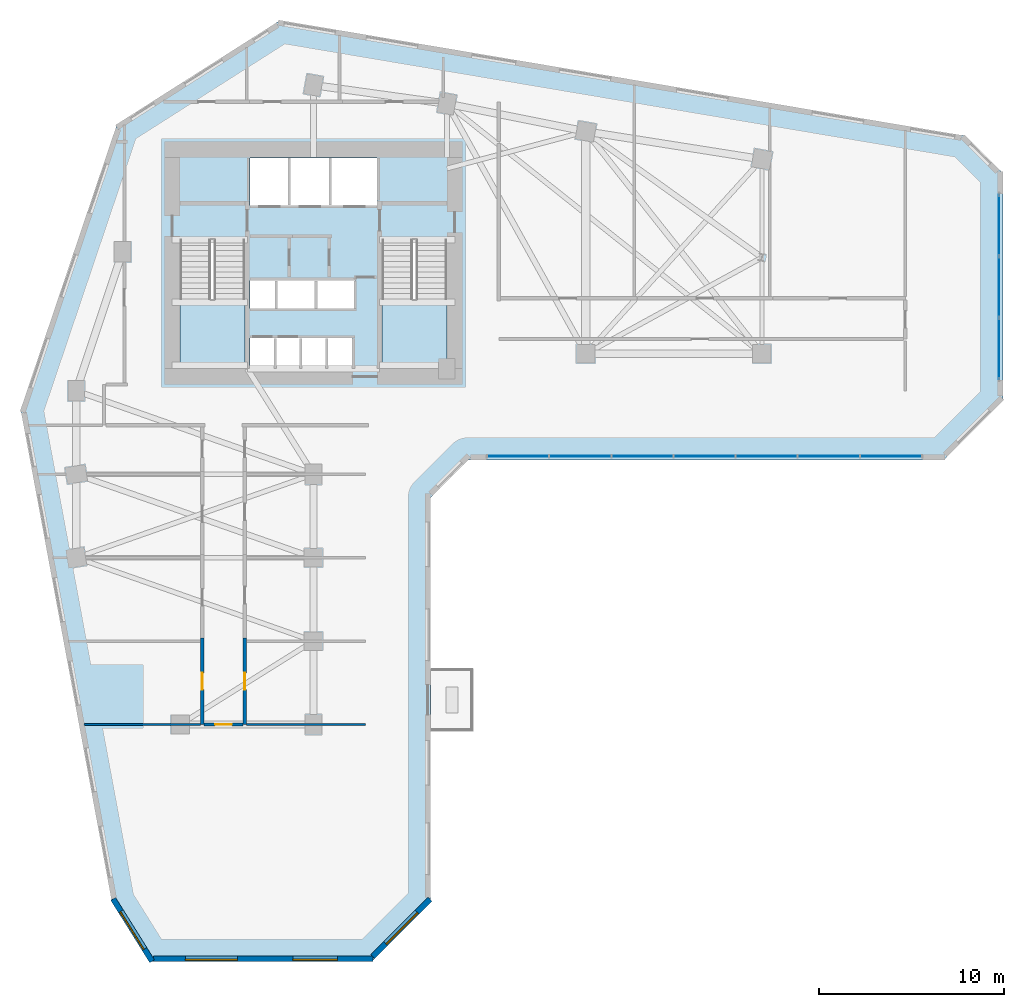
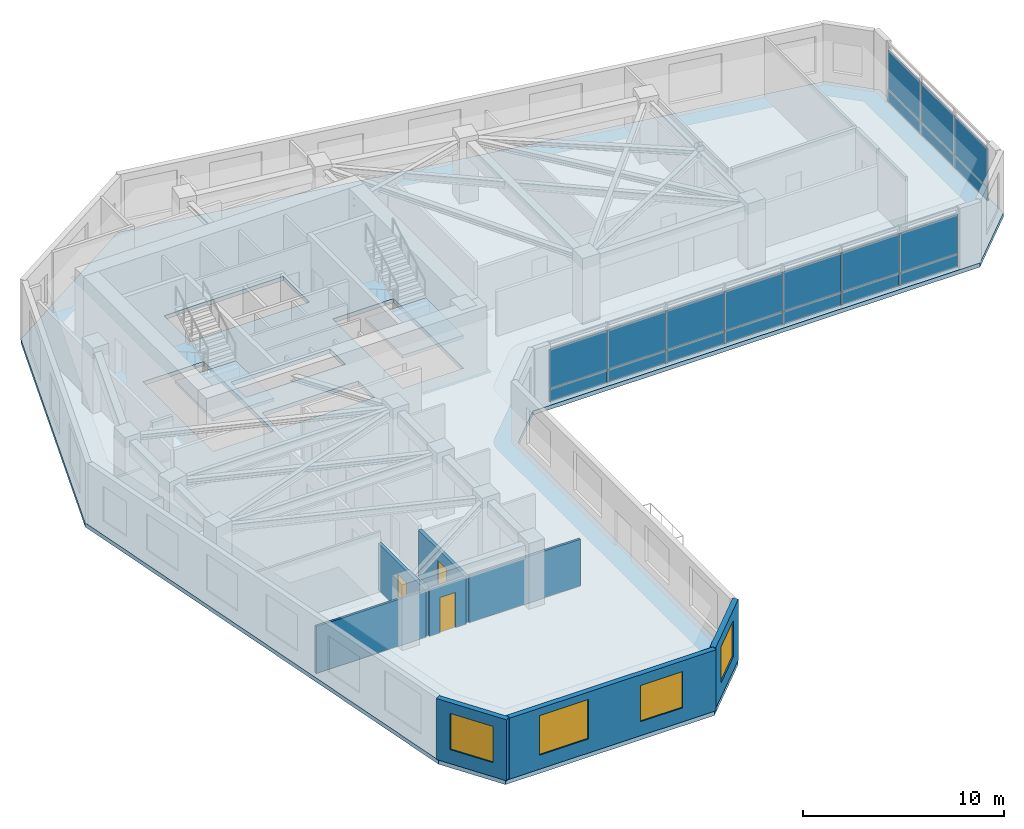
# One storey, part 5 of 11: 20 plates, 8 walls, 4 windows, 3 doors, 3 slabs, 7 openings, 4 elements without a shape of their own.
"""IFC4 building model written with IfcOpenShell, lengths in metres."""

from ifc_helpers import new_model, si_unit, direction, frame, frame_2d, origin, place, context, subcontext, project, spatial, polyline, rectangle, outline, extrude, source, transform, mapped, material, layer, layer_set, type_object, element, fill, aggregate, save


model = new_model("IFC4")

# Units and contexts
model_context = context("Model", 3, precision=1e-05, world=origin(), true_north=direction((0.0, 1.0)))
body_context = subcontext(model_context, "Body", "Model", "MODEL_VIEW")
ifc_project = project(units=[si_unit("LENGTHUNIT", "METRE"), si_unit("AREAUNIT", "SQUARE_METRE"), si_unit("VOLUMEUNIT", "CUBIC_METRE"), si_unit("PLANEANGLEUNIT", "RADIAN"), si_unit("MASSUNIT", "GRAM", prefix="KILO")], contexts=[model_context])

# Site, building, storey
site_placement = place(None, origin())
site = spatial("IfcSite", under=ifc_project, at=site_placement, CompositionType="ELEMENT")
building_placement = place(site_placement, origin())
building = spatial("IfcBuilding", under=site, at=building_placement, Name="Calvemar Wedge Station Tower", CompositionType="ELEMENT")
storey_placement = place(building_placement, frame((0.0, 0.0, 59.0)))
storey = spatial("IfcBuildingStorey", under=building, at=storey_placement, Name="L14", CompositionType="ELEMENT", Elevation=59.0)

# Curtain wall, plates
ifc_material_1 = material(Name="Anodised aluminium 6063-T6", Category="aluminium")
curtain_wall_type = type_object("IfcCurtainWallType", Name="CW1", PredefinedType="NOTDEFINED", material=ifc_material_1)
curtain_wall_1_placement = place(storey_placement, origin())
curtain_wall_1 = element("IfcCurtainWall", 1, at=curtain_wall_1_placement, inside=storey, type_object=curtain_wall_type, Name="Storey L14 CW1 Recessed Unitised Curtain Wall 6", PredefinedType="NOTDEFINED")
ifc_material_2 = material(Name="Low-E laminated insulated glass", Category="glass")
ifc_layer_1 = layer(ifc_material_2, 0.028076171875)
ifc_layer_set_1 = layer_set([ifc_layer_1], Name="Low-E laminated insulated glass")
plate_type_1 = type_object("IfcPlateType", Name="CW1-GLZ", PredefinedType="CURTAIN_PANEL", material=ifc_layer_set_1)
plate_1_placement = place(storey_placement, frame((33.183837890625, 29.469970703125, 0.8701171875), z_axis=(0.0, 0.0, 1.0), x_axis=(1.0, 0.0, 0.0)))
plate_1 = element("IfcPlate", 2, at=plate_1_placement, type_object=plate_type_1, Name="CW1 vision glass panel 1", PredefinedType="CURTAIN_PANEL", context=body_context, shape_type="SweptSolid", body=[
    extrude(rectangle(XDim=3.317138671875, YDim=0.028076171875, at=frame_2d((1.65869140625, 0.0))), origin(), (0.0, 0.0, 1.0), 2.35986328125),
])
plate_2_placement = place(storey_placement, frame((36.537109375, 29.469970703125, 0.8701171875), z_axis=(0.0, 0.0, 1.0), x_axis=(1.0, 0.0, 0.0)))
plate_2 = element("IfcPlate", 3, at=plate_2_placement, type_object=plate_type_1, Name="CW1 vision glass panel 2", PredefinedType="CURTAIN_PANEL", context=body_context, shape_type="SweptSolid", body=[
    extrude(rectangle(XDim=3.317138671875, YDim=0.028076171875, at=frame_2d((1.65869140625, 0.0))), origin(), (0.0, 0.0, 1.0), 2.35986328125),
])
plate_3_placement = place(storey_placement, frame((39.89013671875, 29.469970703125, 0.8701171875), z_axis=(0.0, 0.0, 1.0), x_axis=(1.0, 0.0, 0.0)))
plate_3 = element("IfcPlate", 4, at=plate_3_placement, type_object=plate_type_1, Name="CW1 vision glass panel 3", PredefinedType="CURTAIN_PANEL", context=body_context, shape_type="SweptSolid", body=[
    extrude(rectangle(XDim=3.317138671875, YDim=0.028076171875, at=frame_2d((1.65869140625, 0.0))), origin(), (0.0, 0.0, 1.0), 2.35986328125),
])
plate_4_placement = place(storey_placement, frame((43.243408203125, 29.469970703125, 0.8701171875), z_axis=(0.0, 0.0, 1.0), x_axis=(1.0, 0.0, 0.0)))
plate_4 = element("IfcPlate", 5, at=plate_4_placement, type_object=plate_type_1, Name="CW1 vision glass panel 4", PredefinedType="CURTAIN_PANEL", context=body_context, shape_type="SweptSolid", body=[
    extrude(rectangle(XDim=3.317138671875, YDim=0.028076171875, at=frame_2d((1.65869140625, 0.0))), origin(), (0.0, 0.0, 1.0), 2.35986328125),
])
plate_5_placement = place(storey_placement, frame((46.596435546875, 29.469970703125, 0.8701171875), z_axis=(0.0, 0.0, 1.0), x_axis=(1.0, 0.0, 0.0)))
plate_5 = element("IfcPlate", 6, at=plate_5_placement, type_object=plate_type_1, Name="CW1 vision glass panel 5", PredefinedType="CURTAIN_PANEL", context=body_context, shape_type="SweptSolid", body=[
    extrude(rectangle(XDim=3.317138671875, YDim=0.028076171875, at=frame_2d((1.65869140625, 0.0))), origin(), (0.0, 0.0, 1.0), 2.35986328125),
])
plate_6_placement = place(storey_placement, frame((49.94970703125, 29.469970703125, 0.8701171875), z_axis=(0.0, 0.0, 1.0), x_axis=(1.0, 0.0, 0.0)))
plate_6 = element("IfcPlate", 7, at=plate_6_placement, type_object=plate_type_1, Name="CW1 vision glass panel 6", PredefinedType="CURTAIN_PANEL", context=body_context, shape_type="SweptSolid", body=[
    extrude(rectangle(XDim=3.317138671875, YDim=0.028076171875, at=frame_2d((1.65869140625, 0.0))), origin(), (0.0, 0.0, 1.0), 2.35986328125),
])
plate_7_placement = place(storey_placement, frame((53.302734375, 29.469970703125, 0.8701171875), z_axis=(0.0, 0.0, 1.0), x_axis=(1.0, 0.0, 0.0)))
plate_7 = element("IfcPlate", 8, at=plate_7_placement, type_object=plate_type_1, Name="CW1 vision glass panel 7", PredefinedType="CURTAIN_PANEL", context=body_context, shape_type="SweptSolid", body=[
    extrude(rectangle(XDim=3.317138671875, YDim=0.028076171875, at=frame_2d((1.65869140625, 0.0))), origin(), (0.0, 0.0, 1.0), 2.35986328125),
])

curtain_wall_2_placement = place(storey_placement, origin())
curtain_wall_2 = element("IfcCurtainWall", 9, at=curtain_wall_2_placement, inside=storey, type_object=curtain_wall_type, Name="Storey L14 CW1 Recessed Unitised Curtain Wall 8", PredefinedType="NOTDEFINED")
plate_8_placement = place(storey_placement, frame((60.7900390625, 33.64013671875, 0.8701171875), z_axis=(0.0, 0.0, 1.0), x_axis=(0.0, 1.0, 0.0)))
plate_8 = element("IfcPlate", 10, at=plate_8_placement, type_object=plate_type_1, Name="CW1 vision glass panel 1", PredefinedType="CURTAIN_PANEL", context=body_context, shape_type="SweptSolid", body=[
    extrude(rectangle(XDim=3.289306640625, YDim=0.028076171875, at=frame_2d((1.64453125, 0.0))), origin(), (0.0, 0.0, 1.0), 2.35986328125),
])
plate_9_placement = place(storey_placement, frame((60.7900390625, 36.96533203125, 0.8701171875), z_axis=(0.0, 0.0, 1.0), x_axis=(0.0, 1.0, 0.0)))
plate_9 = element("IfcPlate", 11, at=plate_9_placement, type_object=plate_type_1, Name="CW1 vision glass panel 2", PredefinedType="CURTAIN_PANEL", context=body_context, shape_type="SweptSolid", body=[
    extrude(rectangle(XDim=3.289306640625, YDim=0.028076171875, at=frame_2d((1.64453125, 0.0))), origin(), (0.0, 0.0, 1.0), 2.35986328125),
])
plate_10_placement = place(storey_placement, frame((60.7900390625, 40.29052734375, 0.8701171875), z_axis=(0.0, 0.0, 1.0), x_axis=(0.0, 1.0, 0.0)))
plate_10 = element("IfcPlate", 12, at=plate_10_placement, type_object=plate_type_1, Name="CW1 vision glass panel 3", PredefinedType="CURTAIN_PANEL", context=body_context, shape_type="SweptSolid", body=[
    extrude(rectangle(XDim=3.289306640625, YDim=0.028076171875, at=frame_2d((1.64453125, 0.0))), origin(), (0.0, 0.0, 1.0), 2.35986328125),
])

# Plate
ifc_material_3 = material(Name="Oxidized bronze aluminium spandrel panel 5005-H24", Category="aluminium")
ifc_layer_2 = layer(ifc_material_3, 0.0400390625)
ifc_layer_set_2 = layer_set([ifc_layer_2], Name="Oxidized bronze aluminium spandrel panel 5005-H24")
plate_type_2 = type_object("IfcPlateType", Name="CW1-SPD", PredefinedType="SHEET", material=ifc_layer_set_2)
plate_11_placement = place(storey_placement, frame((33.183837890625, 29.469970703125, 0.080078125), z_axis=(0.0, 0.0, 1.0), x_axis=(1.0, 0.0, 0.0)))
plate_11 = element("IfcPlate", 13, at=plate_11_placement, type_object=plate_type_2, Name="CW1 bronze spandrel panel 1", PredefinedType="SHEET", context=body_context, shape_type="SweptSolid", body=[
    extrude(rectangle(XDim=3.317138671875, YDim=0.0400390625, at=frame_2d((1.65869140625, 0.0))), origin(), (0.0, 0.0, 1.0), 0.75),
])

plate_12_placement = place(storey_placement, frame((36.537109375, 29.469970703125, 0.080078125), z_axis=(0.0, 0.0, 1.0), x_axis=(1.0, 0.0, 0.0)))
plate_12 = element("IfcPlate", 14, at=plate_12_placement, type_object=plate_type_2, Name="CW1 bronze spandrel panel 2", PredefinedType="SHEET", context=body_context, shape_type="SweptSolid", body=[
    extrude(rectangle(XDim=3.317138671875, YDim=0.0400390625, at=frame_2d((1.65869140625, 0.0))), origin(), (0.0, 0.0, 1.0), 0.75),
])

plate_13_placement = place(storey_placement, frame((39.89013671875, 29.469970703125, 0.080078125), z_axis=(0.0, 0.0, 1.0), x_axis=(1.0, 0.0, 0.0)))
plate_13 = element("IfcPlate", 15, at=plate_13_placement, type_object=plate_type_2, Name="CW1 bronze spandrel panel 3", PredefinedType="SHEET", context=body_context, shape_type="SweptSolid", body=[
    extrude(rectangle(XDim=3.317138671875, YDim=0.0400390625, at=frame_2d((1.65869140625, 0.0))), origin(), (0.0, 0.0, 1.0), 0.75),
])

plate_14_placement = place(storey_placement, frame((43.243408203125, 29.469970703125, 0.080078125), z_axis=(0.0, 0.0, 1.0), x_axis=(1.0, 0.0, 0.0)))
plate_14 = element("IfcPlate", 16, at=plate_14_placement, type_object=plate_type_2, Name="CW1 bronze spandrel panel 4", PredefinedType="SHEET", context=body_context, shape_type="SweptSolid", body=[
    extrude(rectangle(XDim=3.317138671875, YDim=0.0400390625, at=frame_2d((1.65869140625, 0.0))), origin(), (0.0, 0.0, 1.0), 0.75),
])

plate_15_placement = place(storey_placement, frame((46.596435546875, 29.469970703125, 0.080078125), z_axis=(0.0, 0.0, 1.0), x_axis=(1.0, 0.0, 0.0)))
plate_15 = element("IfcPlate", 17, at=plate_15_placement, type_object=plate_type_2, Name="CW1 bronze spandrel panel 5", PredefinedType="SHEET", context=body_context, shape_type="SweptSolid", body=[
    extrude(rectangle(XDim=3.317138671875, YDim=0.0400390625, at=frame_2d((1.65869140625, 0.0))), origin(), (0.0, 0.0, 1.0), 0.75),
])

plate_16_placement = place(storey_placement, frame((49.94970703125, 29.469970703125, 0.080078125), z_axis=(0.0, 0.0, 1.0), x_axis=(1.0, 0.0, 0.0)))
plate_16 = element("IfcPlate", 18, at=plate_16_placement, type_object=plate_type_2, Name="CW1 bronze spandrel panel 6", PredefinedType="SHEET", context=body_context, shape_type="SweptSolid", body=[
    extrude(rectangle(XDim=3.317138671875, YDim=0.0400390625, at=frame_2d((1.65869140625, 0.0))), origin(), (0.0, 0.0, 1.0), 0.75),
])

plate_17_placement = place(storey_placement, frame((53.302734375, 29.469970703125, 0.080078125), z_axis=(0.0, 0.0, 1.0), x_axis=(1.0, 0.0, 0.0)))
plate_17 = element("IfcPlate", 19, at=plate_17_placement, type_object=plate_type_2, Name="CW1 bronze spandrel panel 7", PredefinedType="SHEET", context=body_context, shape_type="SweptSolid", body=[
    extrude(rectangle(XDim=3.317138671875, YDim=0.0400390625, at=frame_2d((1.65869140625, 0.0))), origin(), (0.0, 0.0, 1.0), 0.75),
])

aggregate(curtain_wall_1, [plate_11, plate_1, plate_12, plate_2, plate_13, plate_3, plate_14, plate_4, plate_15, plate_5, plate_16, plate_6, plate_17, plate_7])

plate_18_placement = place(storey_placement, frame((60.7900390625, 33.64013671875, 0.080078125), z_axis=(0.0, 0.0, 1.0), x_axis=(0.0, 1.0, 0.0)))
plate_18 = element("IfcPlate", 20, at=plate_18_placement, type_object=plate_type_2, Name="CW1 bronze spandrel panel 1", PredefinedType="SHEET", context=body_context, shape_type="SweptSolid", body=[
    extrude(rectangle(XDim=3.289306640625, YDim=0.0400390625, at=frame_2d((1.64453125, 0.0))), origin(), (0.0, 0.0, 1.0), 0.75),
])

plate_19_placement = place(storey_placement, frame((60.7900390625, 36.96533203125, 0.080078125), z_axis=(0.0, 0.0, 1.0), x_axis=(0.0, 1.0, 0.0)))
plate_19 = element("IfcPlate", 21, at=plate_19_placement, type_object=plate_type_2, Name="CW1 bronze spandrel panel 2", PredefinedType="SHEET", context=body_context, shape_type="SweptSolid", body=[
    extrude(rectangle(XDim=3.289306640625, YDim=0.0400390625, at=frame_2d((1.64453125, 0.0))), origin(), (0.0, 0.0, 1.0), 0.75),
])

plate_20_placement = place(storey_placement, frame((60.7900390625, 40.29052734375, 0.080078125), z_axis=(0.0, 0.0, 1.0), x_axis=(0.0, 1.0, 0.0)))
plate_20 = element("IfcPlate", 22, at=plate_20_placement, type_object=plate_type_2, Name="CW1 bronze spandrel panel 3", PredefinedType="SHEET", context=body_context, shape_type="SweptSolid", body=[
    extrude(rectangle(XDim=3.289306640625, YDim=0.0400390625, at=frame_2d((1.64453125, 0.0))), origin(), (0.0, 0.0, 1.0), 0.75),
])

aggregate(curtain_wall_2, [plate_18, plate_8, plate_19, plate_9, plate_20, plate_10])

# Stair, slab
ifc_material_4 = material(Name="Concrete C45", Category="concrete")
stair_type = type_object("IfcStairType", Name="ST-TYPE-4000", PredefinedType="HALF_TURN_STAIR", material=ifc_material_4)
stair_1_placement = place(storey_placement, origin())
stair_1 = element("IfcStair", 23, at=stair_1_placement, inside=storey, type_object=stair_type, Name="L14 Pressurized Core Exit Stair ST-C1", PredefinedType="HALF_TURN_STAIR")
ifc_layer_3 = layer(ifc_material_4, 0.199951171875)
ifc_layer_set_3 = layer_set([ifc_layer_3], Name="Concrete C45")
slab_type_1 = type_object("IfcSlabType", Name="SL-STAIR-LND-200", PredefinedType="LANDING", material=ifc_layer_set_3)
slab_1_placement = place(storey_placement, frame((0.0, 0.0, 1.800048828125)))
slab_1 = element("IfcSlab", 24, at=slab_1_placement, type_object=slab_type_1, Name="ST-C1 landing 1", PredefinedType="LANDING", context=body_context, shape_type="SweptSolid", body=[
    extrude(outline(polyline([(16.60009765625, 37.9599609375), (16.60009765625, 34.199951171875), (20.10009765625, 34.199951171875), (20.10009765625, 37.9599609375), (16.60009765625, 37.9599609375)])), origin(), (0.0, 0.0, 1.0), 0.199951171875),
])
aggregate(stair_1, [slab_1])

stair_2_placement = place(storey_placement, origin())
stair_2 = element("IfcStair", 25, at=stair_2_placement, inside=storey, type_object=stair_type, Name="L14 Pressurized Core Exit Stair ST-C2", PredefinedType="HALF_TURN_STAIR")
slab_2_placement = place(storey_placement, frame((0.0, 0.0, 1.800048828125)))
slab_2 = element("IfcSlab", 26, at=slab_2_placement, type_object=slab_type_1, Name="ST-C2 landing 1", PredefinedType="LANDING", context=body_context, shape_type="SweptSolid", body=[
    extrude(outline(polyline([(27.5, 37.9599609375), (27.5, 34.199951171875), (31.0, 34.199951171875), (31.0, 37.9599609375), (27.5, 37.9599609375)])), origin(), (0.0, 0.0, 1.0), 0.199951171875),
])
aggregate(stair_2, [slab_2])

# Slab
ifc_material_5 = material(Name="Concrete C50", Category="concrete")
ifc_layer_4 = layer(ifc_material_5, 0.25)
ifc_layer_set_4 = layer_set([ifc_layer_4], Name="Concrete C50")
slab_type_2 = type_object("IfcSlabType", Name="SL-TYP-250", PredefinedType="FLOOR", material=ifc_layer_set_4)
slab_3_placement = place(storey_placement, frame((0.0, 0.0, -0.25)))
element("IfcSlab", 27, at=slab_3_placement, inside=storey, type_object=slab_type_2, Name="Storey L14 Structural Floor Slab", PredefinedType="FLOOR", context=body_context, shape_type="SweptSolid", body=[
    extrude(outline(polyline([(8.0, 32.0), (12.927978515625, 5.39990234375), (14.927978515625, 2.199951171875), (26.927978515625, 2.199951171875), (30.1279296875, 5.39990234375), (30.1279296875, 27.260009765625), (32.1279296875, 29.260009765625), (57.800048828125, 29.260009765625), (61.0, 32.4599609375), (61.0, 44.760009765625), (59.0, 46.760009765625), (22.0, 53.0), (13.199951171875, 47.39990234375), (8.0, 32.0)]), holes=[polyline([(21.739990234375, 35.85009765625), (21.72998046875, 35.85009765625), (20.3798828125, 35.85009765625), (20.3798828125, 34.219970703125), (21.72998046875, 34.219970703125), (21.739990234375, 34.219970703125), (23.1201171875, 34.219970703125), (23.1298828125, 34.219970703125), (24.510009765625, 34.219970703125), (24.52001953125, 34.219970703125), (25.909912109375, 34.219970703125), (25.909912109375, 35.85009765625), (24.52001953125, 35.85009765625), (24.510009765625, 35.85009765625), (23.1298828125, 35.85009765625), (23.1201171875, 35.85009765625), (21.739990234375, 35.85009765625)]), polyline([(16.60009765625, 41.14990234375), (16.60009765625, 34.199951171875), (20.10009765625, 34.199951171875), (20.10009765625, 41.14990234375), (16.60009765625, 41.14990234375)]), polyline([(27.5, 34.199951171875), (31.0, 34.199951171875), (31.0, 41.14990234375), (27.5, 41.14990234375), (27.5, 34.199951171875)]), polyline([(21.7900390625, 37.449951171875), (21.800048828125, 37.449951171875), (23.929931640625, 37.449951171875), (23.93994140625, 37.449951171875), (26.080078125, 37.449951171875), (26.080078125, 38.949951171875), (23.93994140625, 38.949951171875), (23.929931640625, 38.949951171875), (21.800048828125, 38.949951171875), (21.7900390625, 38.949951171875), (20.3798828125, 38.949951171875), (20.3798828125, 37.449951171875), (21.7900390625, 37.449951171875)]), polyline([(20.3798828125, 43.0), (27.219970703125, 43.0), (27.219970703125, 45.580078125), (20.3798828125, 45.580078125), (20.3798828125, 43.0)])]), origin(), (0.0, 0.0, 1.0), 0.25),
])

# Wall, opening, door
ifc_material_6 = material(Name="Double-stud fire-rated corridor partition")
ifc_layer_5 = layer(ifc_material_6, 0.179931640625)
ifc_layer_set_5 = layer_set([ifc_layer_5], Name="Double-stud fire-rated corridor partition")
wall_type_1 = type_object("IfcWallType", Name="W-CORR-180", PredefinedType="PARTITIONING", material=ifc_layer_set_5)
wall_1_placement = place(storey_placement, frame((17.800048828125, 15.0, 0.0), z_axis=(0.0, 0.0, 1.0), x_axis=(0.0, 1.0, 0.0)))
wall_1 = element("IfcWall", 28, at=wall_1_placement, inside=storey, type_object=wall_type_1, Name="Storey L14 Interior Partition WL-L14-029", PredefinedType="PARTITIONING", context=body_context, shape_type="SweptSolid", body=[
    extrude(rectangle(XDim=4.659912109375, YDim=0.179931640625, at=frame_2d((2.330078125, 0.0))), origin(), (0.0, 0.0, 1.0), 2.842041015625),
])
shared_shape_1 = source(origin(), body_context, "Body", "SweptSolid", [
    extrude(rectangle(XDim=0.89990234375, YDim=2.14990234375, at=frame_2d((0.449951171875, 1.074951171875))), frame((0.0, 0.10009765625, 0.0), z_axis=(0.0, -1.0, 0.0), x_axis=(1.0, 0.0, 0.0)), (0.0, 0.0, 1.0), 0.199951171875),
])
opening_1_placement = place(wall_1_placement, frame((1.8798828125, 0.0, 0.0)))
opening_1 = element("IfcOpeningElement", 29, at=opening_1_placement, cuts=wall_1, Name="Opening D-01", PredefinedType="OPENING", context=body_context, shape_type="MappedRepresentation", body=[
    mapped(shared_shape_1, transform((0.0, 0.0, 0.0), scale=1.0)),
])
ifc_material_7 = material(Name="Architectural hardwood acoustic swing door", Category="wood")
door_type = type_object("IfcDoorType", Name="DR-INT-900", OperationType="NOTDEFINED", PredefinedType="DOOR", material=ifc_material_7)
shared_shape_2 = source(origin(), body_context, "Body", "SweptSolid", [
    extrude(rectangle(XDim=0.89990234375, YDim=2.14990234375, at=frame_2d((0.449951171875, 1.074951171875))), frame((0.0, 0.02490234375, 0.0), z_axis=(0.0, -1.0, 0.0), x_axis=(1.0, 0.0, 0.0)), (0.0, 0.0, 1.0), 0.050048828125),
])
door_1_placement = place(opening_1_placement, origin())
door_1 = element("IfcDoor", 30, at=door_1_placement, inside=storey, type_object=door_type, Name="L14 Office Door", OperationType="SINGLE_SWING_LEFT", OverallHeight=2.14990234375, OverallWidth=0.89990234375, PredefinedType="DOOR", context=body_context, shape_type="MappedRepresentation", body=[
    mapped(shared_shape_2, transform((0.0, 0.0, 0.0), scale=1.0)),
])
fill(opening_1, door_1)

wall_2_placement = place(storey_placement, frame((20.10009765625, 19.659912109375, 0.0), z_axis=(0.0, 0.0, 1.0), x_axis=(0.0, -1.0, 0.0)))
wall_2 = element("IfcWall", 31, at=wall_2_placement, inside=storey, type_object=wall_type_1, Name="Storey L14 Interior Partition WL-L14-030", PredefinedType="PARTITIONING", context=body_context, shape_type="SweptSolid", body=[
    extrude(rectangle(XDim=4.659912109375, YDim=0.179931640625, at=frame_2d((2.330078125, 0.0))), origin(), (0.0, 0.0, 1.0), 2.842041015625),
])
opening_2_placement = place(wall_2_placement, frame((1.8798828125, 0.0, 0.0)))
opening_2 = element("IfcOpeningElement", 32, at=opening_2_placement, cuts=wall_2, Name="Opening D-01", PredefinedType="OPENING", context=body_context, shape_type="MappedRepresentation", body=[
    mapped(shared_shape_1, transform((0.0, 0.0, 0.0), scale=1.0)),
])
door_2_placement = place(opening_2_placement, origin())
door_2 = element("IfcDoor", 33, at=door_2_placement, inside=storey, type_object=door_type, Name="L14 Meeting Room Door", OperationType="SINGLE_SWING_RIGHT", OverallHeight=2.14990234375, OverallWidth=0.89990234375, PredefinedType="DOOR", context=body_context, shape_type="MappedRepresentation", body=[
    mapped(shared_shape_2, transform((0.0, 0.0, 0.0), scale=1.0)),
])
fill(opening_2, door_2)

wall_3_placement = place(storey_placement, frame((20.006103515625, 15.0, 0.0), z_axis=(0.0, 0.0, 1.0), x_axis=(-1.0, 0.0, 0.0)))
wall_3 = element("IfcWall", 34, at=wall_3_placement, inside=storey, type_object=wall_type_1, Name="Storey L14 Interior Partition WL-L14-037", PredefinedType="PARTITIONING", context=body_context, shape_type="SweptSolid", body=[
    extrude(rectangle(XDim=2.112060546875, YDim=0.179931640625, at=frame_2d((1.05615234375, 0.0))), origin(), (0.0, 0.0, 1.0), 2.842041015625),
])
opening_3_placement = place(wall_3_placement, frame((0.60595703125, 0.0, 0.0)))
opening_3 = element("IfcOpeningElement", 35, at=opening_3_placement, cuts=wall_3, Name="Opening D-01", PredefinedType="OPENING", context=body_context, shape_type="MappedRepresentation", body=[
    mapped(shared_shape_1, transform((0.0, 0.0, 0.0), scale=1.0)),
])
door_3_placement = place(opening_3_placement, origin())
door_3 = element("IfcDoor", 36, at=door_3_placement, inside=storey, type_object=door_type, Name="L14 Co-Working Studio Door", OperationType="SINGLE_SWING_LEFT", OverallHeight=2.14990234375, OverallWidth=0.89990234375, PredefinedType="DOOR", context=body_context, shape_type="MappedRepresentation", body=[
    mapped(shared_shape_2, transform((0.0, 0.0, 0.0), scale=1.0)),
])
fill(opening_3, door_3)

# Wall, opening, window
ifc_material_8 = material(Name="Precast concrete C45", Category="concrete")
ifc_layer_6 = layer(ifc_material_8, 0.300048828125)
ifc_layer_set_6 = layer_set([ifc_layer_6], Name="Precast concrete C45")
wall_type_2 = type_object("IfcWallType", Name="W-EXT-GFRC-300", PredefinedType="SOLIDWALL", material=ifc_layer_set_6)
wall_4_placement = place(storey_placement, frame((12.99072265625, 5.58251953125, 0.0), z_axis=(0.0, 0.0, 1.0), x_axis=(0.530015557218, -0.847987918019, 0.0)))
wall_4 = element("IfcWall", 37, at=wall_4_placement, inside=storey, type_object=wall_type_2, Name="Storey L14 Bronze GFRC Exterior Wall 1", PredefinedType="SOLIDWALL", context=body_context, shape_type="SweptSolid", body=[
    extrude(rectangle(XDim=3.9619140625, YDim=0.300048828125, at=frame_2d((1.98095703125, 0.0))), origin(), (0.0, 0.0, 1.0), 3.699951171875),
])
shared_shape_3 = source(origin(), body_context, "Body", "SweptSolid", [
    extrude(rectangle(XDim=2.39990234375, YDim=2.199951171875, at=frame_2d((1.199951171875, 1.10009765625))), frame((0.0, 0.16015625, 0.0), z_axis=(0.0, -1.0, 0.0), x_axis=(1.0, 0.0, 0.0)), (0.0, 0.0, 1.0), 0.320068359375),
])
opening_4_placement = place(wall_4_placement, frame((0.781005859375, 0.0, 0.85009765625)))
opening_4 = element("IfcOpeningElement", 38, at=opening_4_placement, cuts=wall_4, Name="Opening W1", PredefinedType="OPENING", context=body_context, shape_type="MappedRepresentation", body=[
    mapped(shared_shape_3, transform((0.0, 0.0, 0.0), scale=1.0)),
])
window_type_1 = type_object("IfcWindowType", Name="WIN-EXT-1", PartitioningType="SINGLE_PANEL", PredefinedType="WINDOW", material=ifc_material_2)
shared_shape_4 = source(origin(), body_context, "Body", "SweptSolid", [
    extrude(rectangle(XDim=2.39990234375, YDim=2.199951171875, at=frame_2d((1.199951171875, 1.10009765625))), frame((0.0, -0.014892578125, 0.0), z_axis=(0.0, -1.0, 0.0), x_axis=(1.0, 0.0, 0.0)), (0.0, 0.0, 1.0), 0.06005859375),
])
window_1_placement = place(opening_4_placement, origin())
window_1 = element("IfcWindow", 39, at=window_1_placement, inside=storey, type_object=window_type_1, Name="Storey L14 Recessed Window 1.1", OverallHeight=2.199951171875, OverallWidth=2.39990234375, PartitioningType="SINGLE_PANEL", PredefinedType="WINDOW", context=body_context, shape_type="MappedRepresentation", body=[
    mapped(shared_shape_4, transform((0.0, 0.0, 0.0), scale=1.0)),
])
fill(opening_4, window_1)

# Wall, openings, windows
wall_5_placement = place(storey_placement, frame((15.173828125, 2.35009765625, 0.0), z_axis=(0.0, 0.0, 1.0), x_axis=(1.0, 0.0, 0.0)))
wall_5 = element("IfcWall", 40, at=wall_5_placement, inside=storey, type_object=wall_type_2, Name="Storey L14 Bronze GFRC Exterior Wall 2", PredefinedType="SOLIDWALL", context=body_context, shape_type="SweptSolid", body=[
    extrude(rectangle(XDim=11.842041015625, YDim=0.300048828125, at=frame_2d((5.9208984375, 0.0))), origin(), (0.0, 0.0, 1.0), 3.699951171875),
])
shared_shape_5 = source(origin(), body_context, "Body", "SweptSolid", [
    extrude(rectangle(XDim=2.800048828125, YDim=2.39990234375, at=frame_2d((1.39990234375, 1.199951171875))), frame((0.0, 0.16015625, 0.0), z_axis=(0.0, -1.0, 0.0), x_axis=(1.0, 0.0, 0.0)), (0.0, 0.0, 1.0), 0.320068359375),
])
opening_5_placement = place(wall_5_placement, frame((1.720947265625, 0.0, 0.85009765625)))
opening_5 = element("IfcOpeningElement", 41, at=opening_5_placement, cuts=wall_5, Name="Opening W6", PredefinedType="OPENING", context=body_context, shape_type="MappedRepresentation", body=[
    mapped(shared_shape_5, transform((0.0, 0.0, 0.0), scale=1.0)),
])
opening_6_placement = place(wall_5_placement, frame((7.52197265625, 0.0, 0.85009765625)))
opening_6 = element("IfcOpeningElement", 42, at=opening_6_placement, cuts=wall_5, Name="Opening W1", PredefinedType="OPENING", context=body_context, shape_type="MappedRepresentation", body=[
    mapped(shared_shape_3, transform((0.0, 0.0, 0.0), scale=1.0)),
])
window_type_2 = type_object("IfcWindowType", Name="WIN-EXT-6", PartitioningType="SINGLE_PANEL", PredefinedType="WINDOW", material=ifc_material_2)
shared_shape_6 = source(origin(), body_context, "Body", "SweptSolid", [
    extrude(rectangle(XDim=2.800048828125, YDim=2.39990234375, at=frame_2d((1.39990234375, 1.199951171875))), frame((0.0, -0.014892578125, 0.0), z_axis=(0.0, -1.0, 0.0), x_axis=(1.0, 0.0, 0.0)), (0.0, 0.0, 1.0), 0.06005859375),
])
window_2_placement = place(opening_5_placement, origin())
window_2 = element("IfcWindow", 43, at=window_2_placement, inside=storey, type_object=window_type_2, Name="Storey L14 Recessed Window 2.1", OverallHeight=2.39990234375, OverallWidth=2.800048828125, PartitioningType="SINGLE_PANEL", PredefinedType="WINDOW", context=body_context, shape_type="MappedRepresentation", body=[
    mapped(shared_shape_6, transform((0.0, 0.0, 0.0), scale=1.0)),
])
fill(opening_5, window_2)
window_3_placement = place(opening_6_placement, origin())
window_3 = element("IfcWindow", 44, at=window_3_placement, inside=storey, type_object=window_type_1, Name="Storey L14 Recessed Window 2.2", OverallHeight=2.199951171875, OverallWidth=2.39990234375, PartitioningType="SINGLE_PANEL", PredefinedType="WINDOW", context=body_context, shape_type="MappedRepresentation", body=[
    mapped(shared_shape_4, transform((0.0, 0.0, 0.0), scale=1.0)),
])
fill(opening_6, window_3)

# Wall, opening, window
wall_6_placement = place(storey_placement, frame((27.00390625, 2.488037109375, 0.0), z_axis=(0.0, 0.0, 1.0), x_axis=(0.707106781187, 0.707106781187, 0.0)))
wall_6 = element("IfcWall", 45, at=wall_6_placement, inside=storey, type_object=wall_type_2, Name="Storey L14 Bronze GFRC Exterior Wall 3", PredefinedType="SOLIDWALL", context=body_context, shape_type="SweptSolid", body=[
    extrude(rectangle(XDim=4.35595703125, YDim=0.300048828125, at=frame_2d((2.177978515625, 0.0))), origin(), (0.0, 0.0, 1.0), 3.699951171875),
])
opening_7_placement = place(wall_6_placement, frame((0.97802734375, 0.0, 0.85009765625)))
opening_7 = element("IfcOpeningElement", 46, at=opening_7_placement, cuts=wall_6, Name="Opening W1", PredefinedType="OPENING", context=body_context, shape_type="MappedRepresentation", body=[
    mapped(shared_shape_3, transform((0.0, 0.0, 0.0), scale=1.0)),
])
window_4_placement = place(opening_7_placement, origin())
window_4 = element("IfcWindow", 47, at=window_4_placement, inside=storey, type_object=window_type_1, Name="Storey L14 Recessed Window 3.1", OverallHeight=2.199951171875, OverallWidth=2.39990234375, PartitioningType="SINGLE_PANEL", PredefinedType="WINDOW", context=body_context, shape_type="MappedRepresentation", body=[
    mapped(shared_shape_4, transform((0.0, 0.0, 0.0), scale=1.0)),
])
fill(opening_7, window_4)

# Walls
ifc_material_9 = material(Name="Insulated acoustic gypsum stud partition")
ifc_layer_7 = layer(ifc_material_9, 0.125)
ifc_layer_set_7 = layer_set([ifc_layer_7], Name="Insulated acoustic gypsum stud partition")
wall_type_3 = type_object("IfcWallType", Name="W-PART-125", PredefinedType="PARTITIONING", material=ifc_layer_set_7)
wall_7_placement = place(storey_placement, frame((17.7060546875, 15.0, 0.0), z_axis=(0.0, 0.0, 1.0), x_axis=(-1.0, 0.0, 0.0)))
element("IfcWall", 48, at=wall_7_placement, inside=storey, type_object=wall_type_3, Name="Storey L14 Interior Partition WL-L14-039", PredefinedType="PARTITIONING", context=body_context, shape_type="SweptSolid", body=[
    extrude(rectangle(XDim=6.287109375, YDim=0.125, at=frame_2d((3.1435546875, 0.0))), origin(), (0.0, 0.0, 1.0), 2.842041015625),
])
wall_8_placement = place(storey_placement, frame((26.60009765625, 15.0, 0.0), z_axis=(0.0, 0.0, 1.0), x_axis=(-1.0, 0.0, 0.0)))
element("IfcWall", 49, at=wall_8_placement, inside=storey, type_object=wall_type_3, Name="Storey L14 Interior Partition WL-L14-041", PredefinedType="PARTITIONING", context=body_context, shape_type="SweptSolid", body=[
    extrude(rectangle(XDim=6.406005859375, YDim=0.125, at=frame_2d((3.203125, 0.0))), origin(), (0.0, 0.0, 1.0), 2.842041015625),
])

save(model, "model.ifc")
